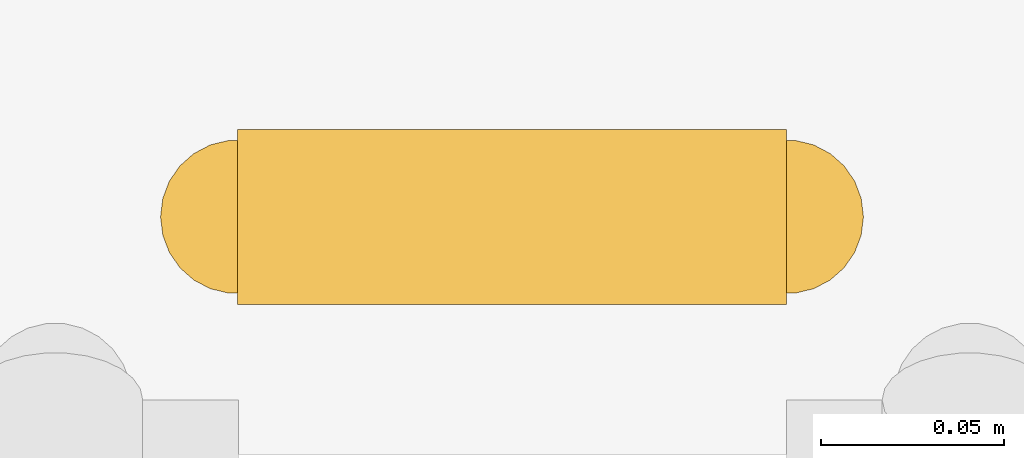
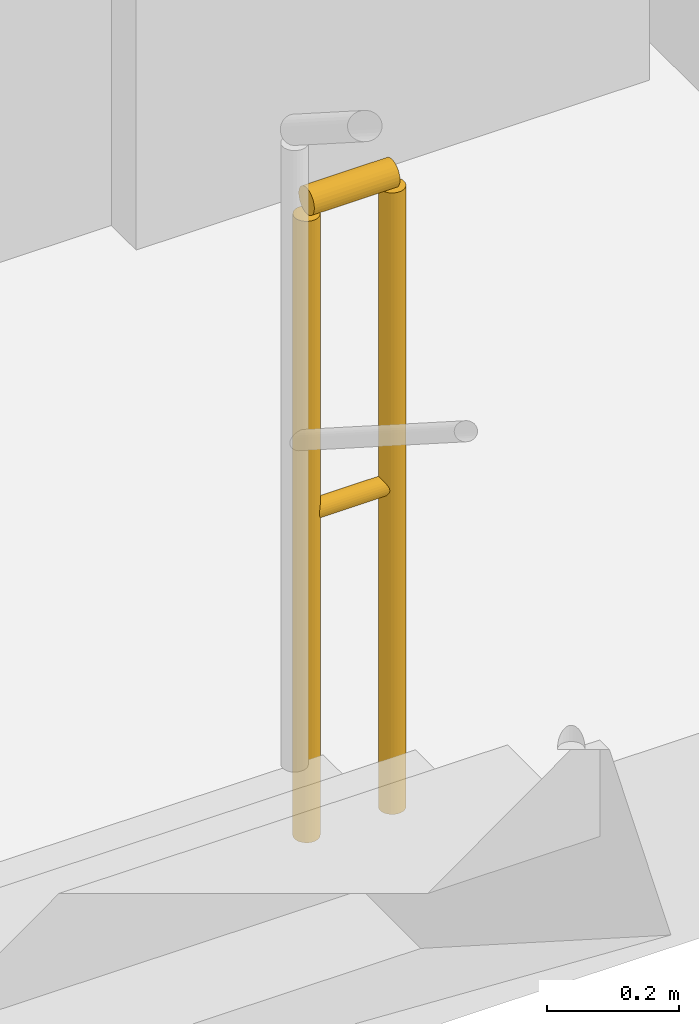
# One storey, part 7 of 8: 1 railing.
"""IFC4 building model written with IfcOpenShell, lengths in metres."""

from ifc_helpers import new_model, si_unit, direction, frame, origin, origin_2d, place, context, subcontext, project, spatial, circle, extrude, material, type_object, element, save


model = new_model("IFC4")

# Units and contexts
model_context = context("Model", 3, precision=1e-05, world=origin(), true_north=direction((0.0, 1.0)))
body_context = subcontext(model_context, "Body", "Model", "MODEL_VIEW")
ifc_project = project(units=[si_unit("LENGTHUNIT", "METRE"), si_unit("AREAUNIT", "SQUARE_METRE"), si_unit("VOLUMEUNIT", "CUBIC_METRE"), si_unit("PLANEANGLEUNIT", "RADIAN"), si_unit("MASSUNIT", "GRAM", prefix="KILO")], contexts=[model_context])

# Site, building, storey
site_placement = place(None, origin())
site = spatial("IfcSite", under=ifc_project, at=site_placement, CompositionType="ELEMENT")
building_placement = place(site_placement, origin())
building = spatial("IfcBuilding", under=site, at=building_placement, Name="Miruveldt Soraemaru", CompositionType="ELEMENT")
storey_placement = place(building_placement, frame((0.0, 0.0, 282.800048828125)))
storey = spatial("IfcBuildingStorey", under=building, at=storey_placement, Name="L77", CompositionType="ELEMENT", Elevation=282.800048828125)

# Railing
ifc_material = material(Name="Steel S355 (355 MPa)", Category="steel")
railing_type = type_object("IfcRailingType", Name="RAIL-STGUARD-1200", PredefinedType="GUARDRAIL", material=ifc_material)
railing_placement = place(storey_placement, frame((50.89990234375, 42.75, 0.0)))
element("IfcRailing", 1, at=railing_placement, inside=storey, type_object=railing_type, Name="L77 ST-2 stair guard 4", PredefinedType="GUARDRAIL", context=body_context, shape_type="SweptSolid", body=[
    extrude(circle(Radius=0.02392578125, at=origin_2d()), frame((0.0, 0.0, 1.17578125), z_axis=(1.0, 0.0, 0.0), x_axis=(0.0, 1.0, 0.0)), (0.0, 0.0, 1.0), 0.150146484375),
    extrude(circle(Radius=0.01611328125, at=origin_2d()), frame((0.0, 0.0, 0.60009765625), z_axis=(1.0, 0.0, 0.0), x_axis=(0.0, 1.0, 0.0)), (0.0, 0.0, 1.0), 0.150146484375),
    extrude(circle(Radius=0.02099609375, at=origin_2d()), origin(), (0.0, 0.0, 1.0), 1.15185546875),
    extrude(circle(Radius=0.02099609375, at=origin_2d()), frame((0.150146484375, 0.0, 0.0)), (0.0, 0.0, 1.0), 1.15185546875),
])

save(model, "model.ifc")
